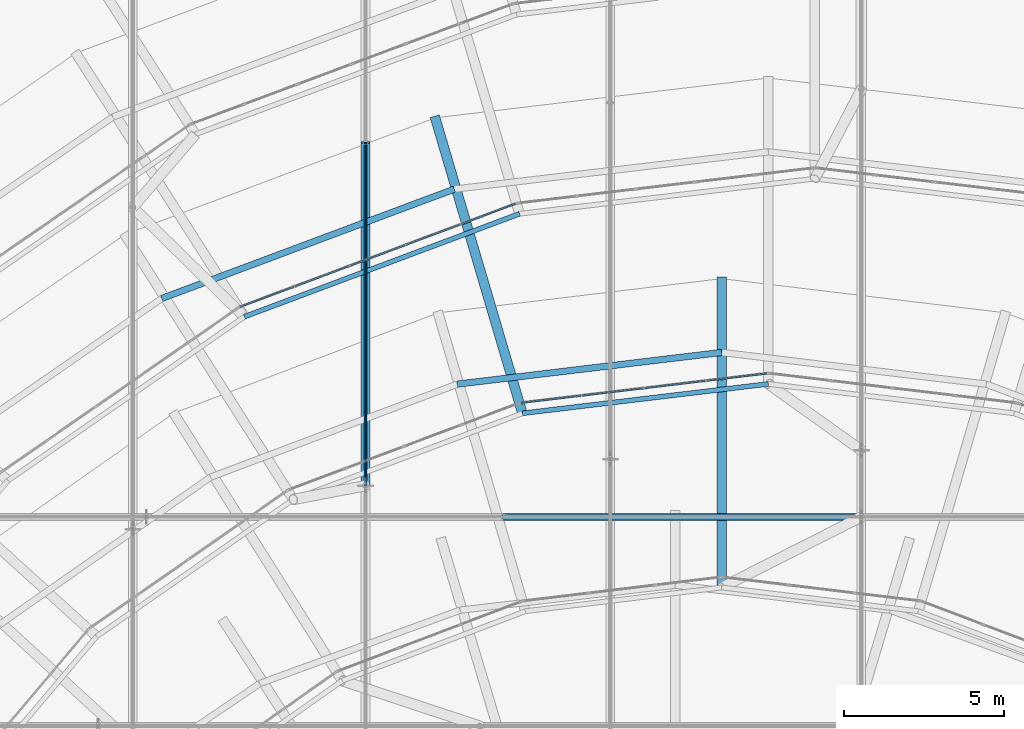
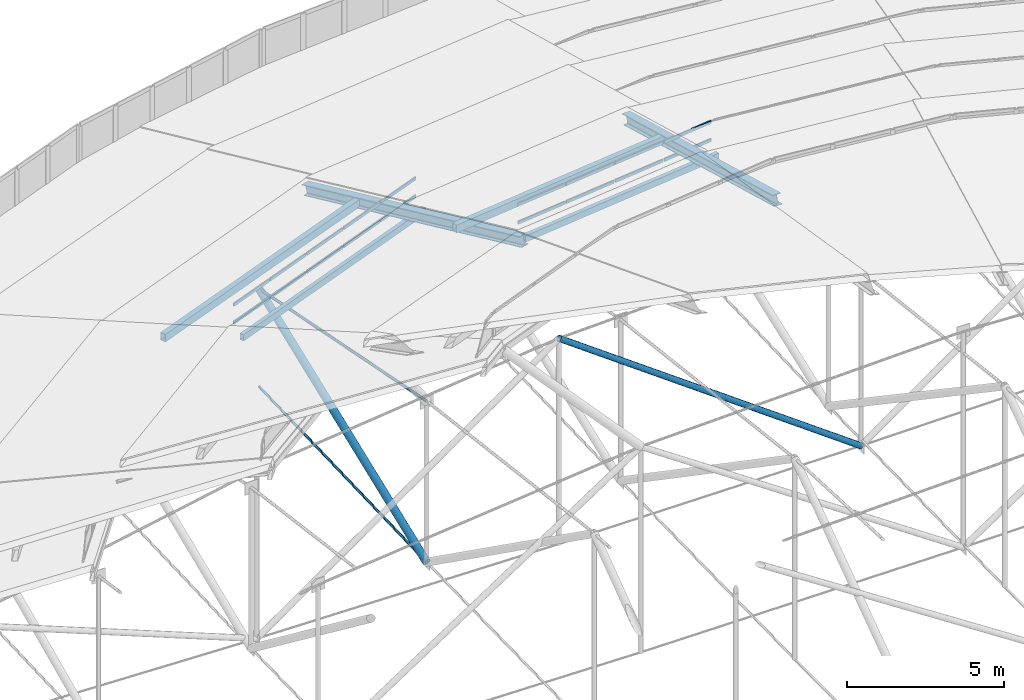
# One storey, part 108 of 173: 28 members, 2 elements without a shape of their own.
"""IFC4 building model written with IfcOpenShell, lengths in metres."""

from ifc_helpers import new_model, si_unit, direction, frame, origin, origin_2d, place, context, subcontext, project, spatial, rectangle, hollow_rectangle, circle, hollow_circle, i_section, extrude, material, material_profile, profile_set, type_object, element, aggregate, save


model = new_model("IFC4")

# Units and contexts
model_context = context("Model", 3, precision=1e-05, world=origin(), true_north=direction((0.0, 1.0)))
body_context = subcontext(model_context, "Body", "Model", "MODEL_VIEW")
ifc_project = project(units=[si_unit("LENGTHUNIT", "METRE"), si_unit("AREAUNIT", "SQUARE_METRE"), si_unit("VOLUMEUNIT", "CUBIC_METRE"), si_unit("PLANEANGLEUNIT", "RADIAN"), si_unit("MASSUNIT", "GRAM", prefix="KILO")], contexts=[model_context])

# Site, building, storey
site_placement = place(None, origin())
site = spatial("IfcSite", under=ifc_project, at=site_placement, CompositionType="ELEMENT")
building_placement = place(site_placement, origin())
building = spatial("IfcBuilding", under=site, at=building_placement, Name="Glasvene Arena", CompositionType="ELEMENT")
storey_placement = place(building_placement, frame((0.0, 0.0, 28.800048828125)))
storey = spatial("IfcBuildingStorey", under=building, at=storey_placement, Name="RF", CompositionType="ELEMENT", Elevation=28.800048828125)

# Curtain wall, members
ifc_material_1 = material(Name="Low-emissivity laminated double glazing", Category="glass")
curtain_wall_type_1 = type_object("IfcCurtainWallType", Name="CW-PET2-925x75", PredefinedType="USERDEFINED", material=ifc_material_1)
curtain_wall_1_placement = place(storey_placement, frame((81.25830078125, 103.1943359375, 0.0)))
curtain_wall_1 = element("IfcCurtainWall", 1, at=curtain_wall_1_placement, inside=storey, type_object=curtain_wall_type_1, Name="Petal ring 2-3 clerestory curtain wall 08", ObjectType="CURTAIN WALL", PredefinedType="USERDEFINED")
ifc_material_2 = material(Name="Anodised architectural aluminium", Category="aluminium")
ifc_material_profile_1 = material_profile(ifc_material_2, rectangle(XDim=0.050048828125, YDim=0.1201171875, at=origin_2d()), Name="ALU TRANSOM 50x120")
ifc_profile_set_1 = profile_set([ifc_material_profile_1], Name="Anodised architectural aluminium")
member_type_1 = type_object("IfcMemberType", Name="CW-TRN-120", PredefinedType="USERDEFINED", material=ifc_profile_set_1)
member_1_placement = place(storey_placement, frame((81.211669921875, 103.1767578125, 5.204833984375), z_axis=(-0.936521303433, -0.350610678981, 0.0), x_axis=(0.350610678981, -0.936521303433, 0.0)))
member_1 = element("IfcMember", 2, at=member_1_placement, type_object=member_type_1, Name="CW-091 transom 1.1", ObjectType="TRANSOM", PredefinedType="USERDEFINED", context=body_context, shape_type="SweptSolid", body=[
    extrude(rectangle(XDim=0.050048828125, YDim=0.1201171875, at=origin_2d()), origin(), (0.0, 0.0, 1.0), 1.774169921875),
])
member_2_placement = place(storey_placement, frame((81.211669921875, 103.1767578125, 5.905029296875), z_axis=(-0.936521303433, -0.350610678981, 0.0), x_axis=(0.350610678981, -0.936521303433, 0.0)))
member_2 = element("IfcMember", 3, at=member_2_placement, type_object=member_type_1, Name="CW-091 transom 1.2", ObjectType="TRANSOM", PredefinedType="USERDEFINED", context=body_context, shape_type="SweptSolid", body=[
    extrude(rectangle(XDim=0.050048828125, YDim=0.1201171875, at=origin_2d()), origin(), (0.0, 0.0, 1.0), 1.774169921875),
])
member_3_placement = place(storey_placement, frame((79.50341796875, 102.537109375, 5.204833984375), z_axis=(-0.936518632538, -0.350617813167, 0.0), x_axis=(0.350617813167, -0.936518632538, 0.0)))
member_3 = element("IfcMember", 4, at=member_3_placement, type_object=member_type_1, Name="CW-091 transom 2.1", ObjectType="TRANSOM", PredefinedType="USERDEFINED", context=body_context, shape_type="SweptSolid", body=[
    extrude(rectangle(XDim=0.050048828125, YDim=0.1201171875, at=origin_2d()), origin(), (0.0, 0.0, 1.0), 1.79931640625),
])
member_4_placement = place(storey_placement, frame((79.50341796875, 102.537109375, 5.905029296875), z_axis=(-0.936518632538, -0.350617813167, 0.0), x_axis=(0.350617813167, -0.936518632538, 0.0)))
member_4 = element("IfcMember", 5, at=member_4_placement, type_object=member_type_1, Name="CW-091 transom 2.2", ObjectType="TRANSOM", PredefinedType="USERDEFINED", context=body_context, shape_type="SweptSolid", body=[
    extrude(rectangle(XDim=0.050048828125, YDim=0.1201171875, at=origin_2d()), origin(), (0.0, 0.0, 1.0), 1.79931640625),
])
member_5_placement = place(storey_placement, frame((77.771728515625, 101.888916015625, 5.204833984375), z_axis=(-0.936518632538, -0.350617813167, 0.0), x_axis=(0.350617813167, -0.936518632538, 0.0)))
member_5 = element("IfcMember", 6, at=member_5_placement, type_object=member_type_1, Name="CW-091 transom 3.1", ObjectType="TRANSOM", PredefinedType="USERDEFINED", context=body_context, shape_type="SweptSolid", body=[
    extrude(rectangle(XDim=0.050048828125, YDim=0.1201171875, at=origin_2d()), origin(), (0.0, 0.0, 1.0), 1.79931640625),
])
member_6_placement = place(storey_placement, frame((77.771728515625, 101.888916015625, 5.905029296875), z_axis=(-0.936518632538, -0.350617813167, 0.0), x_axis=(0.350617813167, -0.936518632538, 0.0)))
member_6 = element("IfcMember", 7, at=member_6_placement, type_object=member_type_1, Name="CW-091 transom 3.2", ObjectType="TRANSOM", PredefinedType="USERDEFINED", context=body_context, shape_type="SweptSolid", body=[
    extrude(rectangle(XDim=0.050048828125, YDim=0.1201171875, at=origin_2d()), origin(), (0.0, 0.0, 1.0), 1.79931640625),
])
member_7_placement = place(storey_placement, frame((76.0400390625, 101.240478515625, 5.204833984375), z_axis=(-0.936518632538, -0.350617813167, 0.0), x_axis=(0.350617813167, -0.936518632538, 0.0)))
member_7 = element("IfcMember", 8, at=member_7_placement, type_object=member_type_1, Name="CW-091 transom 4.1", ObjectType="TRANSOM", PredefinedType="USERDEFINED", context=body_context, shape_type="SweptSolid", body=[
    extrude(rectangle(XDim=0.050048828125, YDim=0.1201171875, at=origin_2d()), origin(), (0.0, 0.0, 1.0), 1.79931640625),
])
member_8_placement = place(storey_placement, frame((76.0400390625, 101.240478515625, 5.905029296875), z_axis=(-0.936518632538, -0.350617813167, 0.0), x_axis=(0.350617813167, -0.936518632538, 0.0)))
member_8 = element("IfcMember", 9, at=member_8_placement, type_object=member_type_1, Name="CW-091 transom 4.2", ObjectType="TRANSOM", PredefinedType="USERDEFINED", context=body_context, shape_type="SweptSolid", body=[
    extrude(rectangle(XDim=0.050048828125, YDim=0.1201171875, at=origin_2d()), origin(), (0.0, 0.0, 1.0), 1.79931640625),
])
member_9_placement = place(storey_placement, frame((74.308349609375, 100.592041015625, 5.204833984375), z_axis=(-0.936521303433, -0.350610678981, 0.0), x_axis=(0.350610678981, -0.936521303433, 0.0)))
member_9 = element("IfcMember", 10, at=member_9_placement, type_object=member_type_1, Name="CW-091 transom 5.1", ObjectType="TRANSOM", PredefinedType="USERDEFINED", context=body_context, shape_type="SweptSolid", body=[
    extrude(rectangle(XDim=0.050048828125, YDim=0.1201171875, at=origin_2d()), origin(), (0.0, 0.0, 1.0), 1.774169921875),
])
member_10_placement = place(storey_placement, frame((74.308349609375, 100.592041015625, 5.905029296875), z_axis=(-0.936521303433, -0.350610678981, 0.0), x_axis=(0.350610678981, -0.936521303433, 0.0)))
member_10 = element("IfcMember", 11, at=member_10_placement, type_object=member_type_1, Name="CW-091 transom 5.2", ObjectType="TRANSOM", PredefinedType="USERDEFINED", context=body_context, shape_type="SweptSolid", body=[
    extrude(rectangle(XDim=0.050048828125, YDim=0.1201171875, at=origin_2d()), origin(), (0.0, 0.0, 1.0), 1.774169921875),
])
aggregate(curtain_wall_1, [member_1, member_2, member_3, member_4, member_5, member_6, member_7, member_8, member_9, member_10])

curtain_wall_type_2 = type_object("IfcCurtainWallType", Name="CW-PET3-781x75", PredefinedType="USERDEFINED", material=ifc_material_1)
curtain_wall_2_placement = place(storey_placement, frame((89.10009765625, 97.89990234375, 0.0)))
curtain_wall_2 = element("IfcCurtainWall", 12, at=curtain_wall_2_placement, inside=storey, type_object=curtain_wall_type_2, Name="Petal ring 3-4 clerestory curtain wall 07", ObjectType="CURTAIN WALL", PredefinedType="USERDEFINED")
member_11_placement = place(storey_placement, frame((89.05029296875, 97.89404296875, 7.85498046875), z_axis=(-0.992935816144, -0.11865270759, 0.0), x_axis=(0.11865270759, -0.992935816144, 0.0)))
member_11 = element("IfcMember", 13, at=member_11_placement, type_object=member_type_1, Name="CW-098 transom 1.1", ObjectType="TRANSOM", PredefinedType="USERDEFINED", context=body_context, shape_type="SweptSolid", body=[
    extrude(rectangle(XDim=0.050048828125, YDim=0.1201171875, at=origin_2d()), origin(), (0.0, 0.0, 1.0), 1.87646484375),
])
member_12_placement = place(storey_placement, frame((89.05029296875, 97.89404296875, 8.554931640625), z_axis=(-0.992935816144, -0.11865270759, 0.0), x_axis=(0.11865270759, -0.992935816144, 0.0)))
member_12 = element("IfcMember", 14, at=member_12_placement, type_object=member_type_1, Name="CW-098 transom 1.2", ObjectType="TRANSOM", PredefinedType="USERDEFINED", context=body_context, shape_type="SweptSolid", body=[
    extrude(rectangle(XDim=0.050048828125, YDim=0.1201171875, at=origin_2d()), origin(), (0.0, 0.0, 1.0), 1.87646484375),
])
member_13_placement = place(storey_placement, frame((87.13720703125, 97.665283203125, 7.85498046875), z_axis=(-0.992923539181, -0.118755401311, 0.0), x_axis=(0.118755401311, -0.992923539181, 0.0)))
member_13 = element("IfcMember", 15, at=member_13_placement, type_object=member_type_1, Name="CW-098 transom 2.1", ObjectType="TRANSOM", PredefinedType="USERDEFINED", context=body_context, shape_type="SweptSolid", body=[
    extrude(rectangle(XDim=0.050048828125, YDim=0.1201171875, at=origin_2d()), origin(), (0.0, 0.0, 1.0), 1.901611328125),
])
member_14_placement = place(storey_placement, frame((87.13720703125, 97.665283203125, 8.554931640625), z_axis=(-0.992923539181, -0.118755401311, 0.0), x_axis=(0.118755401311, -0.992923539181, 0.0)))
member_14 = element("IfcMember", 16, at=member_14_placement, type_object=member_type_1, Name="CW-098 transom 2.2", ObjectType="TRANSOM", PredefinedType="USERDEFINED", context=body_context, shape_type="SweptSolid", body=[
    extrude(rectangle(XDim=0.050048828125, YDim=0.1201171875, at=origin_2d()), origin(), (0.0, 0.0, 1.0), 1.901611328125),
])
member_15_placement = place(storey_placement, frame((85.199462890625, 97.43359375, 7.85498046875), z_axis=(-0.992925349417, -0.118740264798, 0.0), x_axis=(0.118740264798, -0.992925349417, 0.0)))
member_15 = element("IfcMember", 17, at=member_15_placement, type_object=member_type_1, Name="CW-098 transom 3.1", ObjectType="TRANSOM", PredefinedType="USERDEFINED", context=body_context, shape_type="SweptSolid", body=[
    extrude(rectangle(XDim=0.050048828125, YDim=0.1201171875, at=origin_2d()), origin(), (0.0, 0.0, 1.0), 1.90185546875),
])
member_16_placement = place(storey_placement, frame((85.199462890625, 97.43359375, 8.554931640625), z_axis=(-0.992925349417, -0.118740264798, 0.0), x_axis=(0.118740264798, -0.992925349417, 0.0)))
member_16 = element("IfcMember", 18, at=member_16_placement, type_object=member_type_1, Name="CW-098 transom 3.2", ObjectType="TRANSOM", PredefinedType="USERDEFINED", context=body_context, shape_type="SweptSolid", body=[
    extrude(rectangle(XDim=0.050048828125, YDim=0.1201171875, at=origin_2d()), origin(), (0.0, 0.0, 1.0), 1.90185546875),
])
member_17_placement = place(storey_placement, frame((83.261474609375, 97.201904296875, 7.85498046875), z_axis=(-0.992937647421, -0.118637381691, 0.0), x_axis=(0.118637381691, -0.992937647421, 0.0)))
member_17 = element("IfcMember", 19, at=member_17_placement, type_object=member_type_1, Name="CW-098 transom 4.1", ObjectType="TRANSOM", PredefinedType="USERDEFINED", context=body_context, shape_type="SweptSolid", body=[
    extrude(rectangle(XDim=0.050048828125, YDim=0.1201171875, at=origin_2d()), origin(), (0.0, 0.0, 1.0), 1.876708984375),
])
member_18_placement = place(storey_placement, frame((83.261474609375, 97.201904296875, 8.554931640625), z_axis=(-0.992937647421, -0.118637381691, 0.0), x_axis=(0.118637381691, -0.992937647421, 0.0)))
member_18 = element("IfcMember", 20, at=member_18_placement, type_object=member_type_1, Name="CW-098 transom 4.2", ObjectType="TRANSOM", PredefinedType="USERDEFINED", context=body_context, shape_type="SweptSolid", body=[
    extrude(rectangle(XDim=0.050048828125, YDim=0.1201171875, at=origin_2d()), origin(), (0.0, 0.0, 1.0), 1.876708984375),
])
aggregate(curtain_wall_2, [member_11, member_12, member_13, member_14, member_15, member_16, member_17, member_18])

# Members
ifc_material_3 = material(Name="High-strength steel spiral strand S460", Category="steel")
ifc_material_profile_2 = material_profile(ifc_material_3, circle(Radius=0.052490234375, at=origin_2d()), Name="LCSS D105")
ifc_profile_set_2 = profile_set([ifc_material_profile_2], Name="High-strength steel spiral strand S460")
member_type_2 = type_object("IfcMemberType", Name="MB-CABLE-105", PredefinedType="USERDEFINED", material=ifc_profile_set_2)
member_19_placement = place(storey_placement, frame((76.54931640625, 94.398681640625, 4.1669921875), z_axis=(0.0, 0.981174571023, -0.193122917277), x_axis=(-1.0, 0.0, 0.0)))
element("IfcMember", 21, at=member_19_placement, inside=storey, type_object=member_type_2, Name="Upper lens roof cable NS07-07", ObjectType="ROOF CABLE", PredefinedType="USERDEFINED", context=body_context, shape_type="SweptSolid", body=[
    extrude(circle(Radius=0.052490234375, at=origin_2d()), origin(), (0.0, 0.0, 1.0), 10.90478515625),
])
ifc_material_profile_3 = material_profile(ifc_material_3, circle(Radius=0.044921875, at=origin_2d()), Name="LCSS D90")
ifc_profile_set_3 = profile_set([ifc_material_profile_3], Name="High-strength steel spiral strand S460")
member_type_3 = type_object("IfcMemberType", Name="MB-CABLE-90", PredefinedType="USERDEFINED", material=ifc_profile_set_3)
member_20_placement = place(storey_placement, frame((76.54931640625, 94.398681640625, -2.112548828125), z_axis=(0.0, 0.99943639544, 0.033569204201), x_axis=(-1.0, 0.0, 0.0)))
element("IfcMember", 22, at=member_20_placement, inside=storey, type_object=member_type_3, Name="Lower stabilization roof cable NS07-07", ObjectType="ROOF CABLE", PredefinedType="USERDEFINED", context=body_context, shape_type="SweptSolid", body=[
    extrude(circle(Radius=0.044921875, at=origin_2d()), origin(), (0.0, 0.0, 1.0), 10.70556640625),
])
ifc_material_4 = material(Name="Steel S355J2", Category="steel")
ifc_material_profile_4 = material_profile(ifc_material_4, i_section(OverallWidth=0.300048828125, OverallDepth=0.39990234375, WebThickness=0.013427734375, FlangeThickness=0.02392578125, FilletRadius=0.027099609375, at=origin_2d()), Name="HEB 400")
ifc_profile_set_4 = profile_set([ifc_material_profile_4], Name="Steel S355J2")
member_type_4 = type_object("IfcMemberType", Name="MB-CHORD-HEB400", PredefinedType="CHORD", material=ifc_profile_set_4)
member_21_placement = place(storey_placement, frame((78.721435546875, 105.859619140625, 4.75), z_axis=(0.273259819694, -0.925734843306, 0.261426989482), x_axis=(0.959088832468, 0.283105300968, 0.0)))
element("IfcMember", 23, at=member_21_placement, inside=storey, type_object=member_type_4, Name="Petal ring 3 radial rib 08", PredefinedType="CHORD", context=body_context, shape_type="SweptSolid", body=[
    extrude(i_section(OverallWidth=0.300048828125, OverallDepth=0.39990234375, WebThickness=0.013427734375, FlangeThickness=0.02392578125, FilletRadius=0.027099609375, at=origin_2d()), origin(), (0.0, 0.0, 1.0), 9.94482421875),
])
member_22_placement = place(storey_placement, frame((87.64990234375, 100.85009765625, 7.39990234375), z_axis=(0.0, -0.964112944989, 0.265492427962), x_axis=(1.0, 0.0, 0.0)))
element("IfcMember", 24, at=member_22_placement, inside=storey, type_object=member_type_4, Name="Petal ring 4 radial rib 07", PredefinedType="CHORD", context=body_context, shape_type="SweptSolid", body=[
    extrude(i_section(OverallWidth=0.300048828125, OverallDepth=0.39990234375, WebThickness=0.013427734375, FlangeThickness=0.02392578125, FilletRadius=0.027099609375, at=origin_2d()), origin(), (0.0, 0.0, 1.0), 9.98193359375),
])
ifc_material_profile_5 = material_profile(ifc_material_4, hollow_rectangle(XDim=0.14990234375, YDim=0.25, WallThickness=0.010009765625, at=origin_2d()), Name="RHS 250x150x10.0")
ifc_profile_set_5 = profile_set([ifc_material_profile_5], Name="Steel S355J2")
member_type_5 = type_object("IfcMemberType", Name="MB-PURLIN-RHS250", PredefinedType="PURLIN", material=ifc_profile_set_5)
member_23_placement = place(storey_placement, frame((81.34912109375, 102.870361328125, 4.781982421875), z_axis=(-0.936583192189, -0.350445322567, 0.0), x_axis=(0.350445322567, -0.936583192189, 0.0)))
element("IfcMember", 25, at=member_23_placement, inside=storey, type_object=member_type_5, Name="Petal ring 2 ridge purlin 08", PredefinedType="PURLIN", context=body_context, shape_type="SweptSolid", body=[
    extrude(hollow_rectangle(XDim=0.14990234375, YDim=0.25, WallThickness=0.010009765625, at=origin_2d()), origin(), (0.0, 0.0, 1.0), 9.15478515625),
])
member_24_placement = place(storey_placement, frame((89.10009765625, 97.56884765625, 7.431884765625), z_axis=(-0.992935112745, -0.118658593779, 0.0), x_axis=(0.118658593779, -0.992935112745, 0.0)))
element("IfcMember", 26, at=member_24_placement, inside=storey, type_object=member_type_5, Name="Petal ring 3 ridge purlin 07", PredefinedType="PURLIN", context=body_context, shape_type="SweptSolid", body=[
    extrude(hollow_rectangle(XDim=0.14990234375, YDim=0.25, WallThickness=0.010009765625, at=origin_2d()), origin(), (0.0, 0.0, 1.0), 7.715576171875),
])
ifc_material_profile_6 = material_profile(ifc_material_4, hollow_rectangle(XDim=0.199951171875, YDim=0.300048828125, WallThickness=0.012451171875, at=origin_2d()), Name="RHS 300x200x12.5")
ifc_profile_set_6 = profile_set([ifc_material_profile_6], Name="Steel S355J2")
member_type_6 = type_object("IfcMemberType", Name="MB-PURLIN-RHS300", PredefinedType="PURLIN", material=ifc_profile_set_6)
member_25_placement = place(storey_placement, frame((79.316650390625, 103.63818359375, 5.33935546875), z_axis=(-0.936734726533, -0.350040072145, 0.0), x_axis=(0.350040072145, -0.936734726533, 0.0)))
element("IfcMember", 27, at=member_25_placement, inside=storey, type_object=member_type_6, Name="Petal ring 3 outer purlin 08", PredefinedType="PURLIN", context=body_context, shape_type="SweptSolid", body=[
    extrude(hollow_rectangle(XDim=0.199951171875, YDim=0.300048828125, WallThickness=0.012451171875, at=origin_2d()), origin(), (0.0, 0.0, 1.0), 9.732421875),
])
member_26_placement = place(storey_placement, frame((87.64990234375, 98.550048828125, 8.00048828125), z_axis=(-0.992890051115, -0.119035063732, 0.0), x_axis=(0.119035063732, -0.992890051115, 0.0)))
element("IfcMember", 28, at=member_26_placement, inside=storey, type_object=member_type_6, Name="Petal ring 4 outer purlin 07", PredefinedType="PURLIN", context=body_context, shape_type="SweptSolid", body=[
    extrude(hollow_rectangle(XDim=0.199951171875, YDim=0.300048828125, WallThickness=0.012451171875, at=origin_2d()), origin(), (0.0, 0.0, 1.0), 8.302490234375),
])
ifc_material_profile_7 = material_profile(ifc_material_4, hollow_circle(Radius=0.109619140625, WallThickness=0.010009765625, at=origin_2d()), Name="CHS 219.1x10.0")
ifc_profile_set_7 = profile_set([ifc_material_profile_7], Name="Steel S355J2")
member_type_7 = type_object("IfcMemberType", Name="MB-WEB-CHS219", PredefinedType="BRACE", material=ifc_profile_set_7)
member_27_placement = place(storey_placement, frame((80.8623046875, 93.4296875, 5.6904296875), z_axis=(0.809066496932, 0.0, -0.587717111833), x_axis=(0.0, 1.0, 0.0)))
element("IfcMember", 29, at=member_27_placement, inside=storey, type_object=member_type_7, Name="Cable-truss diagonal web strut EW07-04", PredefinedType="BRACE", context=body_context, shape_type="SweptSolid", body=[
    extrude(hollow_circle(Radius=0.109619140625, WallThickness=0.010009765625, at=origin_2d()), origin(), (0.0, 0.0, 1.0), 13.76611328125),
])
ifc_material_profile_8 = material_profile(ifc_material_4, hollow_circle(Radius=0.136474609375, WallThickness=0.012451171875, at=origin_2d()), Name="CHS 273.0x12.5")
ifc_profile_set_8 = profile_set([ifc_material_profile_8], Name="Steel S355J2")
member_type_8 = type_object("IfcMemberType", Name="MB-WEB-CHS273", PredefinedType="BRACE", material=ifc_profile_set_8)
member_28_placement = place(storey_placement, frame((76.54931640625, 94.398681640625, -2.112548828125), z_axis=(0.0, 0.931631165888, 0.363405243146), x_axis=(-1.0, 0.0, 0.0)))
element("IfcMember", 30, at=member_28_placement, inside=storey, type_object=member_type_8, Name="Cable-truss diagonal web strut NS07-07", PredefinedType="BRACE", context=body_context, shape_type="SweptSolid", body=[
    extrude(hollow_circle(Radius=0.136474609375, WallThickness=0.012451171875, at=origin_2d()), origin(), (0.0, 0.0, 1.0), 11.484619140625),
])

save(model, "model.ifc")
